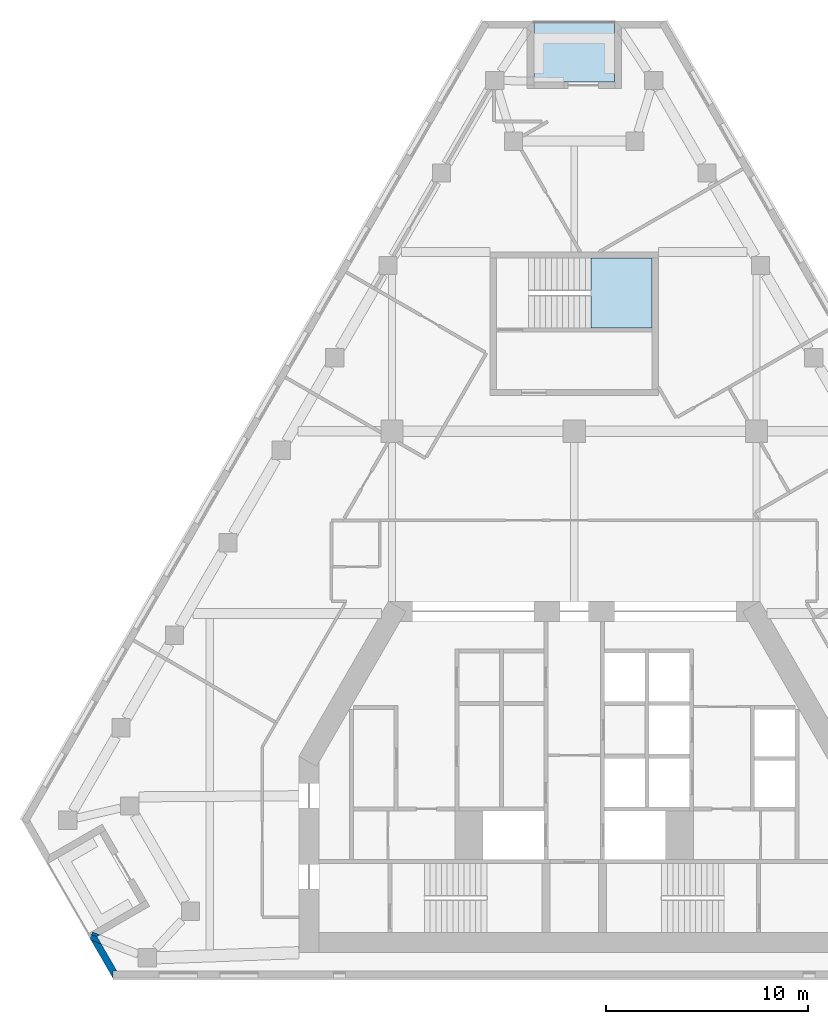
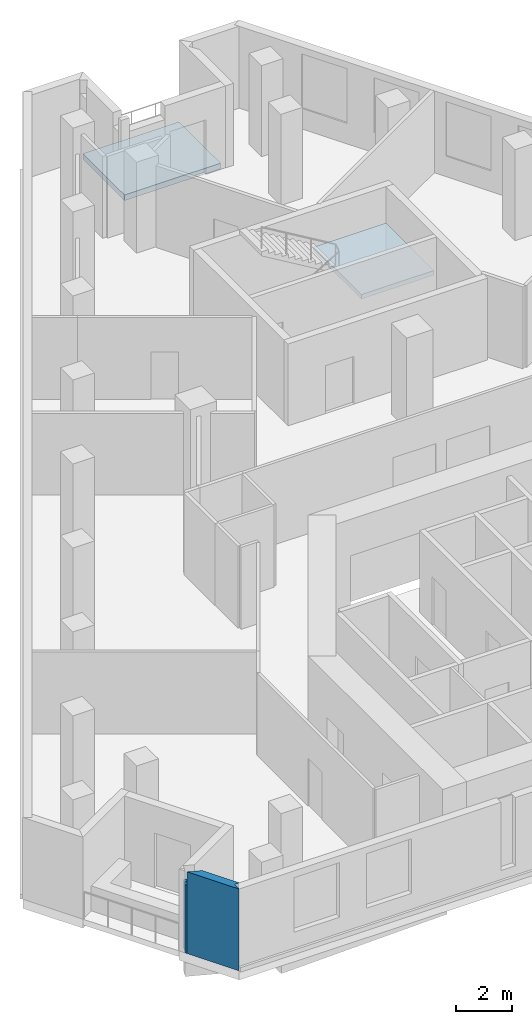
# One storey, part 2 of 9: 3 walls, 2 slabs, 1 element without a shape of its own.
"""IFC4 building model written with IfcOpenShell, lengths in metres."""

from ifc_helpers import new_model, si_unit, direction, frame, origin, place, context, subcontext, project, spatial, polyline, outline, extrude, material, layer, layer_set, type_object, element, aggregate, save


model = new_model("IFC4")

# Units and contexts
model_context = context("Model", 3, precision=1e-05, world=origin(), true_north=direction((0.0, 1.0)))
body_context = subcontext(model_context, "Body", "Model", "MODEL_VIEW")
ifc_project = project(units=[si_unit("LENGTHUNIT", "METRE"), si_unit("AREAUNIT", "SQUARE_METRE"), si_unit("VOLUMEUNIT", "CUBIC_METRE"), si_unit("PLANEANGLEUNIT", "RADIAN"), si_unit("MASSUNIT", "GRAM", prefix="KILO")], contexts=[model_context])

# Site, building, storey
site_placement = place(None, origin())
site = spatial("IfcSite", under=ifc_project, at=site_placement, CompositionType="ELEMENT")
building_placement = place(site_placement, origin())
building = spatial("IfcBuilding", under=site, at=building_placement, Name="Fogline Exchange Tower", CompositionType="ELEMENT")
storey_placement = place(building_placement, frame((0.0, 0.0, 214.10009765625)))
storey = spatial("IfcBuildingStorey", under=building, at=storey_placement, Name="L48", CompositionType="ELEMENT", Elevation=214.10009765625)

# Slab
ifc_material_1 = material(Name="Concrete C40", Category="concrete")
ifc_layer_1 = layer(ifc_material_1, 0.25)
ifc_layer_set_1 = layer_set([ifc_layer_1], Name="DK1")
slab_type_1 = type_object("IfcSlabType", Name="DK1", PredefinedType="FLOOR", material=ifc_layer_set_1)
slab_1_placement = place(storey_placement, frame((0.0, 0.0, -0.25)))
element("IfcSlab", 1, at=slab_1_placement, inside=storey, type_object=slab_type_1, Name="Balcony L48 N", PredefinedType="FLOOR", context=body_context, shape_type="SweptSolid", body=[
    extrude(outline(polyline([(2.0, 47.26171875), (-2.0, 47.26171875), (-2.0, 44.26171875), (2.0, 44.26171875), (2.0, 47.26171875)])), origin(), (0.0, 0.0, 1.0), 0.25),
])

# Stair, slab
stair_type = type_object("IfcStairType", Name="STR24-1667", PredefinedType="HALF_TURN_STAIR", material=ifc_material_1)
stair_placement = place(storey_placement, origin())
stair = element("IfcStair", 2, at=stair_placement, inside=storey, type_object=stair_type, Name="Stair ST3", PredefinedType="HALF_TURN_STAIR")
ifc_layer_2 = layer(ifc_material_1, 0.199951171875)
ifc_layer_set_2 = layer_set([ifc_layer_2], Name="SL200")
slab_type_2 = type_object("IfcSlabType", Name="SL200", PredefinedType="LANDING", material=ifc_layer_set_2)
slab_2_placement = place(storey_placement, frame((0.0, 0.0, 1.7998046875)))
slab_2 = element("IfcSlab", 3, at=slab_2_placement, type_object=slab_type_2, Name="ST3 landing 1", PredefinedType="LANDING", context=body_context, shape_type="SweptSolid", body=[
    extrude(outline(polyline([(0.830078125, 32.10693359375), (3.85009765625, 32.10693359375), (3.85009765625, 35.556884765625), (0.830078125, 35.556884765625), (0.830078125, 32.10693359375)])), origin(), (0.0, 0.0, 1.0), 0.2001953125),
])
aggregate(stair, [slab_2])

# Walls
ifc_material_2 = material(Name="Brick masonry", Category="masonry")
ifc_layer_3 = layer(ifc_material_2, 0.340087890625)
ifc_layer_set_3 = layer_set([ifc_layer_3], Name="FW1")
wall_type = type_object("IfcWallType", Name="FW1", PredefinedType="SOLIDWALL", material=ifc_layer_set_3)
wall_1_placement = place(storey_placement, origin())
element("IfcWall", 4, at=wall_1_placement, inside=storey, type_object=wall_type, Name="Brick wall L48 SW-s2", PredefinedType="SOLIDWALL", context=body_context, shape_type="SweptSolid", body=[
    extrude(outline(polyline([(-23.572021484375, 2.0400390625), (-23.852783203125, 2.115234375), (-23.790771484375, 2.2734375), (-23.419677734375, 2.1279296875), (-23.572021484375, 2.0400390625)])), origin(), (0.0, 0.0, 1.0), 3.0),
])
wall_2_placement = place(storey_placement, origin())
element("IfcWall", 5, at=wall_2_placement, inside=storey, type_object=wall_type, Name="Brick wall L48 SW-c2", PredefinedType="SOLIDWALL", context=body_context, shape_type="SweptSolid", body=[
    extrude(outline(polyline([(-23.915771484375, 1.95458984375), (-23.852294921875, 2.116455078125), (-23.57177734375, 2.041015625), (-23.360107421875, 1.6748046875), (-23.86962890625, 1.87451171875), (-23.915771484375, 1.95458984375)])), origin(), (0.0, 0.0, 1.0), 3.0),
])
wall_3_placement = place(storey_placement, origin())
element("IfcWall", 6, at=wall_3_placement, inside=storey, type_object=wall_type, Name="Brick wall L48 SW-c2", PredefinedType="SOLIDWALL", context=body_context, shape_type="SweptSolid", body=[
    extrude(outline(polyline([(-22.785888671875, 0.33935546875), (-22.785888671875, -0.0009765625), (-22.78662109375, -0.001220703125), (-23.86962890625, 1.87451171875), (-23.360107421875, 1.6748046875), (-22.589111328125, 0.33935546875), (-22.785888671875, 0.33935546875)])), origin(), (0.0, 0.0, 1.0), 3.599853515625),
])

save(model, "model.ifc")
